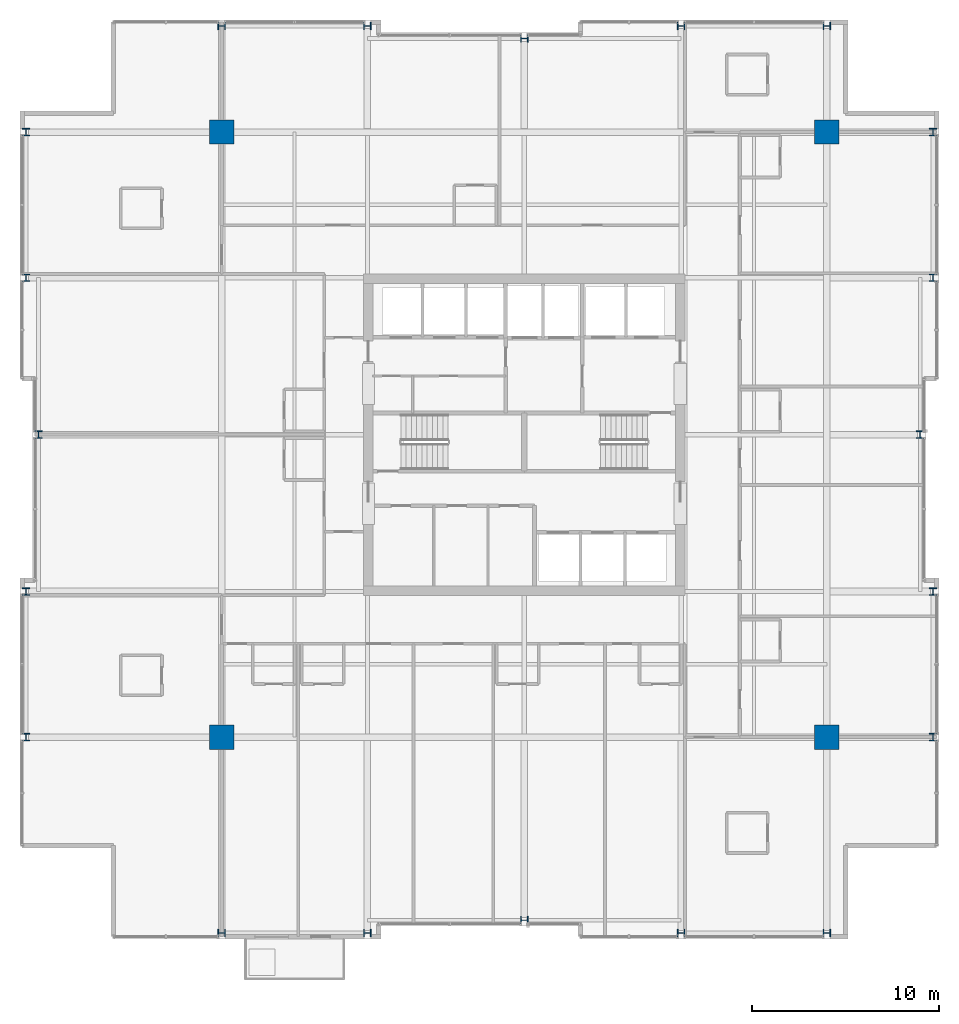
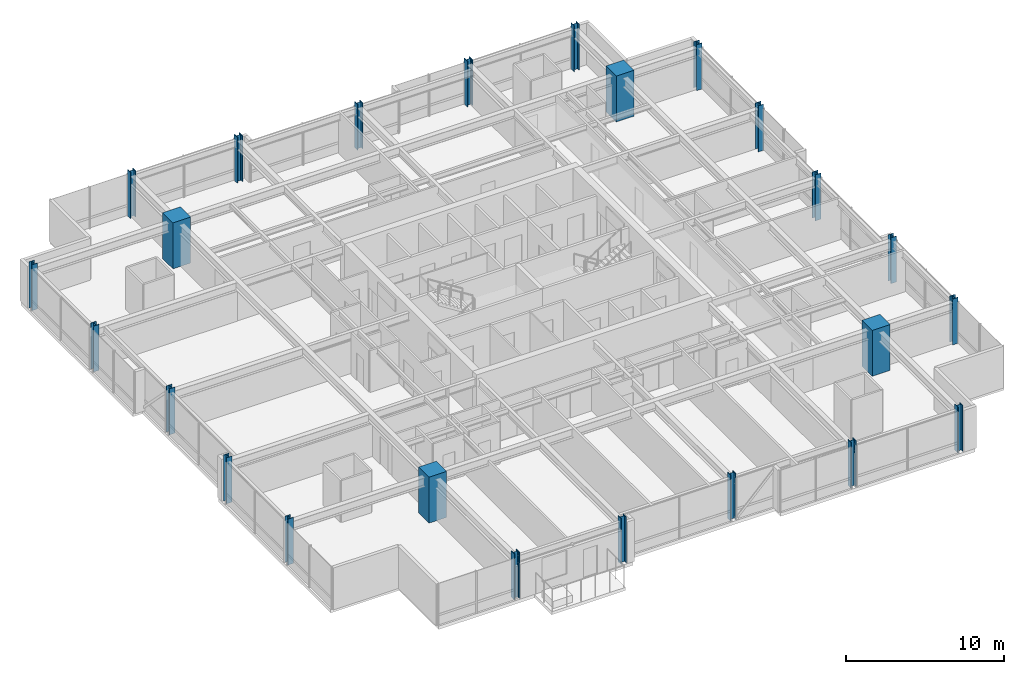
# One storey, part 1 of 33: 24 columns.
"""IFC4 building model written with IfcOpenShell, lengths in metres."""

from ifc_helpers import new_model, si_unit, direction, frame, origin, origin_2d, place, context, subcontext, project, spatial, rectangle, i_section, extrude, material, material_profile, profile_set, type_object, element, save


model = new_model("IFC4")

# Units and contexts
model_context = context("Model", 3, precision=1e-05, world=origin(), true_north=direction((0.0, 1.0)))
body_context = subcontext(model_context, "Body", "Model", "MODEL_VIEW")
ifc_project = project(units=[si_unit("LENGTHUNIT", "METRE"), si_unit("AREAUNIT", "SQUARE_METRE"), si_unit("VOLUMEUNIT", "CUBIC_METRE"), si_unit("PLANEANGLEUNIT", "RADIAN"), si_unit("MASSUNIT", "GRAM", prefix="KILO")], contexts=[model_context])

# Site, building, storey
site_placement = place(None, origin())
site = spatial("IfcSite", under=ifc_project, at=site_placement, CompositionType="ELEMENT")
building_placement = place(site_placement, origin())
building = spatial("IfcBuilding", under=site, at=building_placement, Name="Drelvath Grand Hotel", CompositionType="ELEMENT")
storey_placement = place(building_placement, frame((0.0, 0.0, 196.550048828125)))
storey = spatial("IfcBuildingStorey", under=building, at=storey_placement, Name="L51", CompositionType="ELEMENT", Elevation=196.550048828125)

# Columns
ifc_material_1 = material(Name="Concrete f'c 55 MPa", Category="concrete")
ifc_material_profile_1 = material_profile(ifc_material_1, rectangle(XDim=1.300048828125, YDim=1.300048828125, at=origin_2d()), Name="MC1300X1300")
ifc_profile_set_1 = profile_set([ifc_material_profile_1], Name="Concrete f'c 55 MPa")
column_type_1 = type_object("IfcColumnType", Name="Composite Mega Column MC1300X1300", PredefinedType="COLUMN", material=ifc_profile_set_1)
for number, where, z_axis, x_axis, name in (
    (1, (-16.199951171875, 10.800048828125, 0.0), (0.0, 0.0, 1.0), (1.0, 0.0, 0.0), "L51 Composite Mega Column MC-SW"),
    (2, (16.199951171875, 10.800048828125, 0.0), (0.0, 0.0, 1.0), (1.0, 0.0, 0.0), "L51 Composite Mega Column MC-SE"),
    (3, (-16.199951171875, 43.199951171875, 0.0), (0.0, 0.0, 1.0), (1.0, 0.0, 0.0), "L51 Composite Mega Column MC-NW"),
    (4, (16.199951171875, 43.199951171875, 0.0), (0.0, 0.0, 1.0), (1.0, 0.0, 0.0), "L51 Composite Mega Column MC-NE"),
):
    element("IfcColumn", number, at=place(storey_placement, frame(where, z_axis=z_axis, x_axis=x_axis)), inside=storey, type_object=column_type_1, Name=name, PredefinedType="COLUMN", context=body_context, shape_type="SweptSolid", body=[
        extrude(rectangle(XDim=1.300048828125, YDim=1.300048828125, at=origin_2d()), origin(), (0.0, 0.0, 1.0), 3.550048828125),
    ])
ifc_material_2 = material(Name="Steel ASTM A913 Gr 65", Category="steel")
ifc_material_profile_2 = material_profile(ifc_material_2, i_section(OverallWidth=0.4013671875, OverallDepth=0.3994140625, WebThickness=0.02490234375, FlangeThickness=0.03955078125, FilletRadius=0.02490234375, at=origin_2d()), Name="W14X211")
ifc_profile_set_2 = profile_set([ifc_material_profile_2], Name="Steel ASTM A913 Gr 65")
column_type_2 = type_object("IfcColumnType", Name="Perimeter Steel Column W14X211", PredefinedType="COLUMN", material=ifc_profile_set_2)
for number, where, z_axis, x_axis, name in (
    (5, (-26.679931640625, 10.800048828125, 0.0), (0.0, 0.0, 1.0), (1.0, 0.0, 0.0), "L51 Structural Column TCW-C"),
    (6, (21.8798828125, 10.800048828125, 0.0), (0.0, 0.0, 1.0), (1.0, 0.0, 0.0), "L51 Structural Column TCE-C"),
    (7, (-26.679931640625, 18.60009765625, 0.0), (0.0, 0.0, 1.0), (1.0, 0.0, 0.0), "L51 Structural Column TCW-D"),
    (8, (21.8798828125, 18.60009765625, 0.0), (0.0, 0.0, 1.0), (1.0, 0.0, 0.0), "L51 Structural Column TCE-D"),
    (9, (-26.0, 27.0, 0.0), (0.0, 0.0, 1.0), (1.0, 0.0, 0.0), "L51 Structural Column TCW-E"),
    (10, (21.199951171875, 27.0, 0.0), (0.0, 0.0, 1.0), (1.0, 0.0, 0.0), "L51 Structural Column TCE-E"),
    (11, (-26.679931640625, 35.39990234375, 0.0), (0.0, 0.0, 1.0), (1.0, 0.0, 0.0), "L51 Structural Column TCW-F"),
    (12, (21.8798828125, 35.39990234375, 0.0), (0.0, 0.0, 1.0), (1.0, 0.0, 0.0), "L51 Structural Column TCE-F"),
    (13, (-26.679931640625, 43.199951171875, 0.0), (0.0, 0.0, 1.0), (1.0, 0.0, 0.0), "L51 Structural Column TCW-G"),
    (14, (21.8798828125, 43.199951171875, 0.0), (0.0, 0.0, 1.0), (1.0, 0.0, 0.0), "L51 Structural Column TCE-G"),
    (15, (-16.199951171875, 0.320068359375, 0.0), (0.0, 0.0, 1.0), (0.0, 1.0, 0.0), "L51 Structural Column TCS-3"),
    (16, (-16.199951171875, 48.8798828125, 0.0), (0.0, 0.0, 1.0), (0.0, 1.0, 0.0), "L51 Structural Column TCN-3"),
    (17, (-8.39990234375, 0.320068359375, 0.0), (0.0, 0.0, 1.0), (0.0, 1.0, 0.0), "L51 Structural Column TCS-4"),
    (18, (-8.39990234375, 48.8798828125, 0.0), (0.0, 0.0, 1.0), (0.0, 1.0, 0.0), "L51 Structural Column TCN-4"),
    (19, (0.0, 1.0, 0.0), (0.0, 0.0, 1.0), (0.0, 1.0, 0.0), "L51 Structural Column TCS-5"),
    (20, (0.0, 48.199951171875, 0.0), (0.0, 0.0, 1.0), (0.0, 1.0, 0.0), "L51 Structural Column TCN-5"),
    (21, (8.39990234375, 0.320068359375, 0.0), (0.0, 0.0, 1.0), (0.0, 1.0, 0.0), "L51 Structural Column TCS-6"),
    (22, (8.39990234375, 48.8798828125, 0.0), (0.0, 0.0, 1.0), (0.0, 1.0, 0.0), "L51 Structural Column TCN-6"),
    (23, (16.199951171875, 0.320068359375, 0.0), (0.0, 0.0, 1.0), (0.0, 1.0, 0.0), "L51 Structural Column TCS-7"),
    (24, (16.199951171875, 48.8798828125, 0.0), (0.0, 0.0, 1.0), (0.0, 1.0, 0.0), "L51 Structural Column TCN-7"),
):
    element("IfcColumn", number, at=place(storey_placement, frame(where, z_axis=z_axis, x_axis=x_axis)), inside=storey, type_object=column_type_2, Name=name, PredefinedType="COLUMN", context=body_context, shape_type="SweptSolid", body=[
        extrude(i_section(OverallWidth=0.4013671875, OverallDepth=0.3994140625, WebThickness=0.02490234375, FlangeThickness=0.03955078125, FilletRadius=0.02490234375, at=origin_2d()), origin(), (0.0, 0.0, 1.0), 3.546875),
    ])

save(model, "model.ifc")
